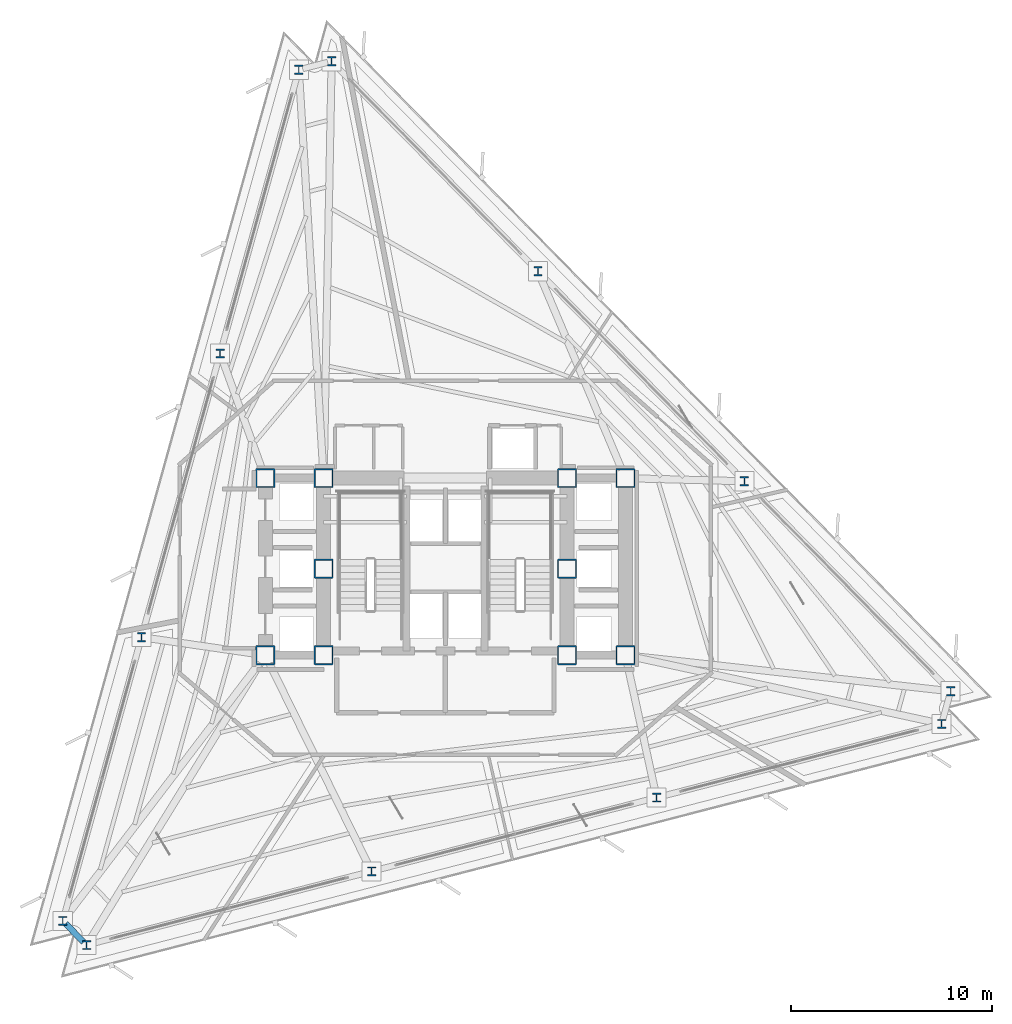
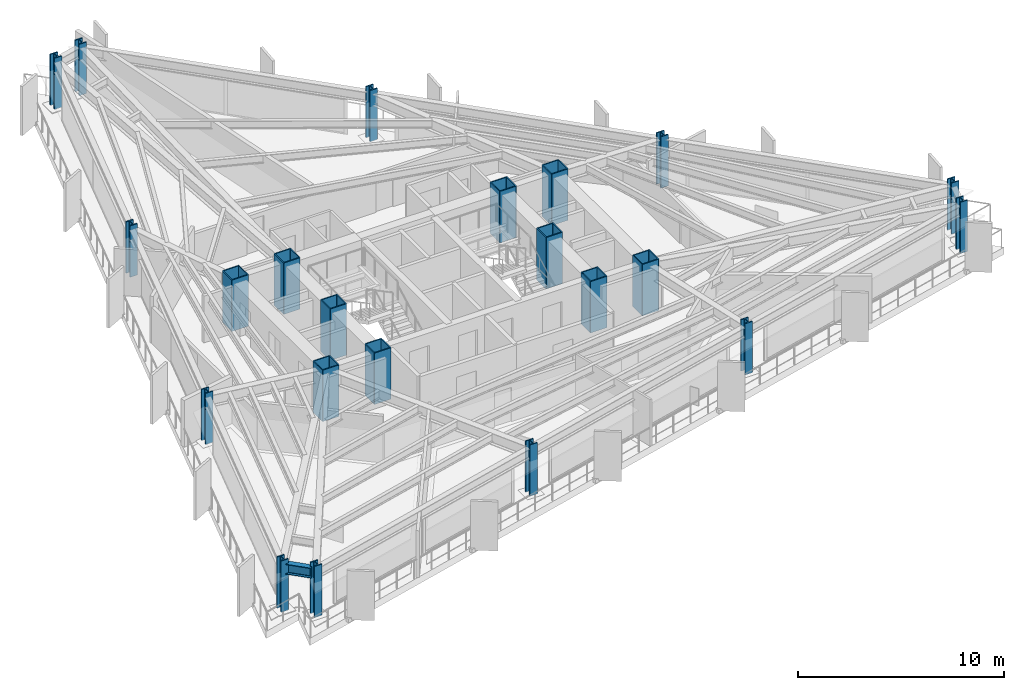
# One storey, part 1 of 11: 22 columns, 1 beam.
"""IFC4 building model written with IfcOpenShell, lengths in metres."""

from ifc_helpers import new_model, si_unit, direction, frame, origin, origin_2d, place, context, subcontext, project, spatial, hollow_rectangle, i_section, extrude, material, material_profile, profile_set, type_object, element, save


model = new_model("IFC4")

# Units and contexts
model_context = context("Model", 3, precision=1e-05, world=origin(), true_north=direction((0.0, 1.0)))
body_context = subcontext(model_context, "Body", "Model", "MODEL_VIEW")
ifc_project = project(units=[si_unit("LENGTHUNIT", "METRE"), si_unit("AREAUNIT", "SQUARE_METRE"), si_unit("VOLUMEUNIT", "CUBIC_METRE"), si_unit("PLANEANGLEUNIT", "RADIAN"), si_unit("MASSUNIT", "GRAM", prefix="KILO")], contexts=[model_context])

# Site, building, storey
site_placement = place(None, origin())
site = spatial("IfcSite", under=ifc_project, at=site_placement, CompositionType="ELEMENT")
building_placement = place(site_placement, origin())
building = spatial("IfcBuilding", under=site, at=building_placement, Name="Rocaltana Carrier Exchange", CompositionType="ELEMENT")
storey_placement = place(building_placement, frame((0.0, 0.0, 76.47998046875)))
storey = spatial("IfcBuildingStorey", under=building, at=storey_placement, Name="L23", CompositionType="ELEMENT", Elevation=76.47998046875)

# Columns
ifc_material_1 = material(Name="Steel S460", Category="steel")
ifc_material_profile_1 = material_profile(ifc_material_1, hollow_rectangle(XDim=0.949951171875, YDim=0.949951171875, WallThickness=0.06005859375, InnerFilletRadius=0.02001953125, OuterFilletRadius=0.0400390625, at=origin_2d()), Name="BOX950X950X60")
ifc_profile_set_1 = profile_set([ifc_material_profile_1], Name="Steel S460")
column_type_1 = type_object("IfcColumnType", Name="Core Mega-Column BOX950", PredefinedType="COLUMN", material=ifc_profile_set_1)
for number, where, z_axis, x_axis, name in (
    (1, (-6.050048828125, 4.5, 0.0), (0.0, 0.0, 1.0), (1.0, 0.0, 0.0), "L23 Core Mega-Column MC1"),
    (2, (6.050048828125, 4.5, 0.0), (0.0, 0.0, 1.0), (1.0, 0.0, 0.0), "L23 Core Mega-Column MC2"),
    (3, (-6.050048828125, 0.0, 0.0), (0.0, 0.0, 1.0), (1.0, 0.0, 0.0), "L23 Core Mega-Column MC3"),
    (4, (6.050048828125, 0.0, 0.0), (0.0, 0.0, 1.0), (1.0, 0.0, 0.0), "L23 Core Mega-Column MC4"),
    (5, (-6.050048828125, -4.300048828125, 0.0), (0.0, 0.0, 1.0), (1.0, 0.0, 0.0), "L23 Core Mega-Column MC5"),
    (6, (6.050048828125, -4.300048828125, 0.0), (0.0, 0.0, 1.0), (1.0, 0.0, 0.0), "L23 Core Mega-Column MC6"),
    (7, (-8.949951171875, 4.5, 0.0), (0.0, 0.0, 1.0), (1.0, 0.0, 0.0), "L23 West Core Column WC1"),
    (8, (-8.949951171875, -4.300048828125, 0.0), (0.0, 0.0, 1.0), (1.0, 0.0, 0.0), "L23 West Core Column WC2"),
    (9, (8.949951171875, 4.5, 0.0), (0.0, 0.0, 1.0), (1.0, 0.0, 0.0), "L23 East Core Column EC1"),
    (10, (8.949951171875, -4.300048828125, 0.0), (0.0, 0.0, 1.0), (1.0, 0.0, 0.0), "L23 East Core Column EC2"),
):
    element("IfcColumn", number, at=place(storey_placement, frame(where, z_axis=z_axis, x_axis=x_axis)), inside=storey, type_object=column_type_1, Name=name, PredefinedType="COLUMN", context=body_context, shape_type="SweptSolid", body=[
        extrude(hollow_rectangle(XDim=0.949951171875, YDim=0.949951171875, WallThickness=0.06005859375, InnerFilletRadius=0.02001953125, OuterFilletRadius=0.0400390625, at=origin_2d()), origin(), (0.0, 0.0, 1.0), 3.0400390625),
    ])
ifc_material_2 = material(Name="Steel S460", Category="steel")
ifc_material_profile_2 = material_profile(ifc_material_2, i_section(OverallWidth=0.41796875, OverallDepth=0.455078125, WebThickness=0.0419921875, FlangeThickness=0.067626953125, FilletRadius=0.02490234375, at=origin_2d()), Name="W14X370")
ifc_profile_set_2 = profile_set([ifc_material_profile_2], Name="Steel S460")
column_type_2 = type_object("IfcColumnType", Name="Perimeter Column W14X370", PredefinedType="COLUMN", material=ifc_profile_set_2)
for number, where, z_axis, x_axis, name in (
    (11, (25.11767578125, -6.091552734375, 0.0), (0.0, 0.0, 1.0), (1.0, 0.0, 0.0), "L23 Perimeter Column TC01"),
    (12, (14.861083984375, 4.345703125, 0.0), (0.0, 0.0, 1.0), (1.0, 0.0, 0.0), "L23 Perimeter Column TC02"),
    (13, (4.6044921875, 14.782958984375, 0.0), (0.0, 0.0, 1.0), (1.0, 0.0, 0.0), "L23 Perimeter Column TC03"),
    (14, (-5.652099609375, 25.22021484375, 0.0), (0.0, 0.0, 1.0), (1.0, 0.0, 0.0), "L23 Perimeter Column TC04"),
    (15, (-7.283447265625, 24.79833984375, 0.0), (0.0, 0.0, 1.0), (1.0, 0.0, 0.0), "L23 Perimeter Column TC05"),
    (16, (-11.194091796875, 10.697265625, 0.0), (0.0, 0.0, 1.0), (1.0, 0.0, 0.0), "L23 Perimeter Column TC06"),
    (17, (-15.1044921875, -3.40380859375, 0.0), (0.0, 0.0, 1.0), (1.0, 0.0, 0.0), "L23 Perimeter Column TC07"),
    (18, (-19.01513671875, -17.505126953125, 0.0), (0.0, 0.0, 1.0), (1.0, 0.0, 0.0), "L23 Perimeter Column TC08"),
    (19, (-17.834228515625, -18.706787109375, 0.0), (0.0, 0.0, 1.0), (1.0, 0.0, 0.0), "L23 Perimeter Column TC09"),
    (20, (-3.6669921875, -15.04296875, 0.0), (0.0, 0.0, 1.0), (1.0, 0.0, 0.0), "L23 Perimeter Column TC10"),
    (21, (10.500244140625, -11.37890625, 0.0), (0.0, 0.0, 1.0), (1.0, 0.0, 0.0), "L23 Perimeter Column TC11"),
    (22, (24.66748046875, -7.715087890625, 0.0), (0.0, 0.0, 1.0), (1.0, 0.0, 0.0), "L23 Perimeter Column TC12"),
):
    element("IfcColumn", number, at=place(storey_placement, frame(where, z_axis=z_axis, x_axis=x_axis)), inside=storey, type_object=column_type_2, Name=name, PredefinedType="COLUMN", context=body_context, shape_type="SweptSolid", body=[
        extrude(i_section(OverallWidth=0.41796875, OverallDepth=0.455078125, WebThickness=0.0419921875, FlangeThickness=0.067626953125, FilletRadius=0.02490234375, at=origin_2d()), origin(), (0.0, 0.0, 1.0), 3.0400390625),
    ])

# Beam
ifc_material_3 = material(Name="Steel S355", Category="steel")
ifc_material_profile_3 = material_profile(ifc_material_3, i_section(OverallWidth=0.300048828125, OverallDepth=0.60009765625, WebThickness=0.015380859375, FlangeThickness=0.030029296875, FilletRadius=0.027099609375, at=origin_2d()), Name="HEB600")
ifc_profile_set_3 = profile_set([ifc_material_profile_3], Name="Steel S355")
beam_type = type_object("IfcBeamType", Name="Spandrel Edge Beam HEB600", PredefinedType="SPANDREL", material=ifc_profile_set_3)
beam_placement = place(storey_placement, frame((-18.874267578125, -17.6484375, 2.488037109375), z_axis=(0.700894805842, -0.713264657153, 0.0), x_axis=(0.713264657153, 0.700894805842, 0.0)))
element("IfcBeam", 23, at=beam_placement, inside=storey, type_object=beam_type, Name="SP-L23-08", PredefinedType="SPANDREL", context=body_context, shape_type="SweptSolid", body=[
    extrude(i_section(OverallWidth=0.300048828125, OverallDepth=0.60009765625, WebThickness=0.015380859375, FlangeThickness=0.030029296875, FilletRadius=0.027099609375, at=origin_2d()), origin(), (0.0, 0.0, 1.0), 1.282958984375),
])

save(model, "model.ifc")
